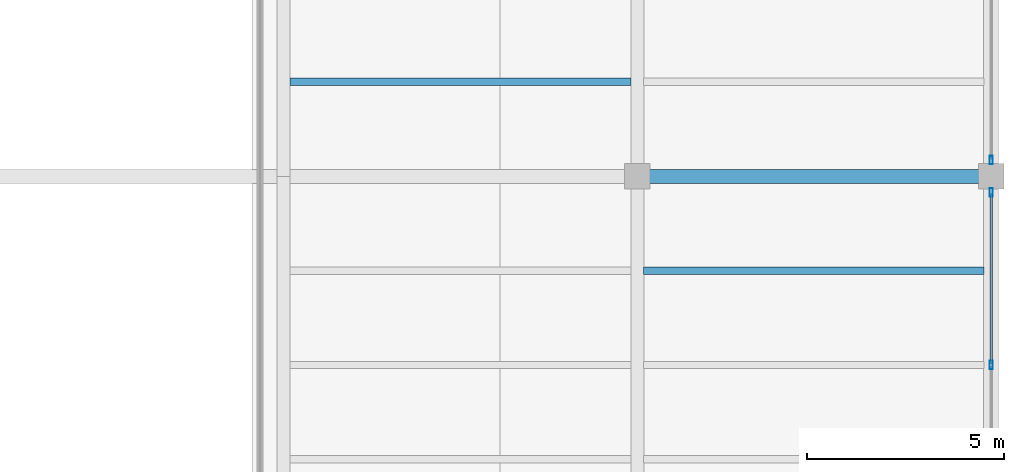
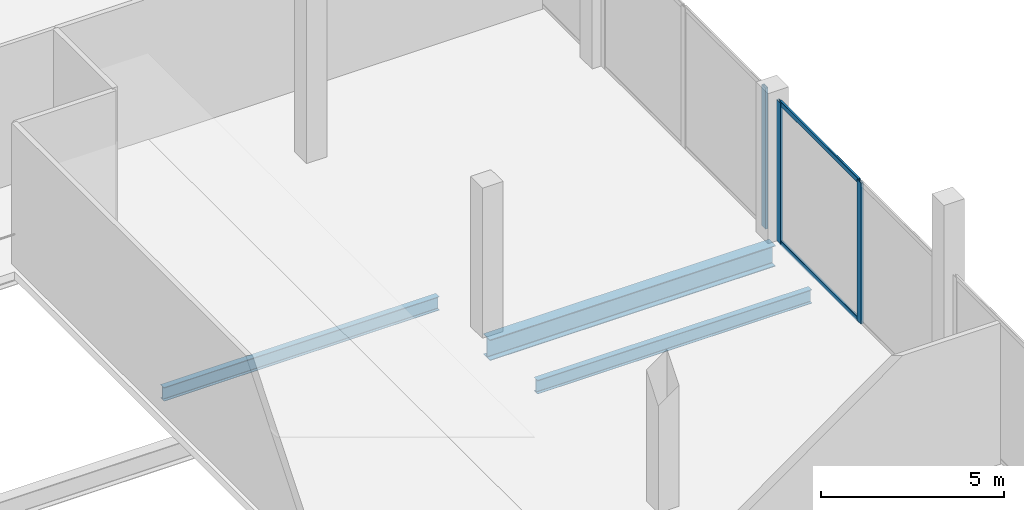
# One storey, part 18 of 43: 5 members, 3 beams, 2 elements without a shape of their own.
"""IFC4 building model written with IfcOpenShell, lengths in metres."""

from ifc_helpers import new_model, si_unit, direction, frame, origin, origin_2d, place, context, subcontext, project, spatial, hollow_rectangle, i_section, extrude, material, layer, layer_set, material_profile, profile_set, type_object, element, aggregate, save


model = new_model("IFC4")

# Units and contexts
model_context = context("Model", 3, precision=1e-05, world=origin(), true_north=direction((0.0, 1.0)))
body_context = subcontext(model_context, "Body", "Model", "MODEL_VIEW")
ifc_project = project(units=[si_unit("LENGTHUNIT", "METRE"), si_unit("AREAUNIT", "SQUARE_METRE"), si_unit("VOLUMEUNIT", "CUBIC_METRE"), si_unit("PLANEANGLEUNIT", "RADIAN"), si_unit("MASSUNIT", "GRAM", prefix="KILO")], contexts=[model_context])

# Site, building, storey
site_placement = place(None, origin())
site = spatial("IfcSite", under=ifc_project, at=site_placement, CompositionType="ELEMENT")
building_placement = place(site_placement, origin())
building = spatial("IfcBuilding", under=site, at=building_placement, Name="Qorvath Tower", CompositionType="ELEMENT")
storey_placement = place(building_placement, frame((0.0, 0.0, 22.0)))
storey = spatial("IfcBuildingStorey", under=building, at=storey_placement, Name="L04", CompositionType="ELEMENT", Elevation=22.0)

# Beams
ifc_material_1 = material(Name="Steel ASTM A992 Grade 50", Category="steel")
ifc_material_profile_1 = material_profile(ifc_material_1, i_section(OverallWidth=0.35595703125, OverallDepth=0.696044921875, WebThickness=0.015380859375, FlangeThickness=0.02490234375, FilletRadius=0.01806640625, at=origin_2d()), Name="W27x146")
ifc_profile_set_1 = profile_set([ifc_material_profile_1], Name="Steel ASTM A992 Grade 50")
beam_type_1 = type_object("IfcBeamType", Name="BM-FG4", PredefinedType="BEAM", material=ifc_profile_set_1)
beam_1_placement = place(storey_placement, frame((68.39990234375, 0.0, -0.60791015625), z_axis=(1.0, 0.0, 0.0), x_axis=(0.0, 1.0, 0.0)))
element("IfcBeam", 1, at=beam_1_placement, inside=storey, type_object=beam_type_1, Name="Library E-W Girder L04-5-5", PredefinedType="BEAM", context=body_context, shape_type="SweptSolid", body=[
    extrude(i_section(OverallWidth=0.35595703125, OverallDepth=0.696044921875, WebThickness=0.015380859375, FlangeThickness=0.02490234375, FilletRadius=0.01806640625, at=origin_2d()), origin(), (0.0, 0.0, 1.0), 9.0),
])
ifc_material_2 = material(Name="Steel ASTM A992 Grade 50", Category="steel")
ifc_material_profile_2 = material_profile(ifc_material_2, i_section(OverallWidth=0.18994140625, OverallDepth=0.45703125, WebThickness=0.009033203125, FlangeThickness=0.014404296875, FilletRadius=0.011962890625, at=origin_2d()), Name="W18x50")
ifc_profile_set_2 = profile_set([ifc_material_profile_2], Name="Steel ASTM A992 Grade 50")
beam_type_2 = type_object("IfcBeamType", Name="BM-FJ2", PredefinedType="JOIST", material=ifc_profile_set_2)
beam_2_placement = place(storey_placement, frame((68.560546875, -2.39990234375, -0.488525390625), z_axis=(1.0, 0.0, 0.0), x_axis=(0.0, 1.0, 0.0)))
element("IfcBeam", 2, at=beam_2_placement, inside=storey, type_object=beam_type_2, Name="Library Stack Joist L04-4.3-5", PredefinedType="JOIST", context=body_context, shape_type="SweptSolid", body=[
    extrude(i_section(OverallWidth=0.18994140625, OverallDepth=0.45703125, WebThickness=0.009033203125, FlangeThickness=0.014404296875, FilletRadius=0.011962890625, at=origin_2d()), origin(), (0.0, 0.0, 1.0), 8.65087890625),
])
beam_3_placement = place(storey_placement, frame((59.560546875, 2.39990234375, -0.488525390625), z_axis=(1.0, 0.0, 0.0), x_axis=(0.0, 1.0, 0.0)))
element("IfcBeam", 3, at=beam_3_placement, inside=storey, type_object=beam_type_2, Name="Library Stack Joist L04-5.1-4", PredefinedType="JOIST", context=body_context, shape_type="SweptSolid", body=[
    extrude(i_section(OverallWidth=0.18994140625, OverallDepth=0.45703125, WebThickness=0.009033203125, FlangeThickness=0.014404296875, FilletRadius=0.011962890625, at=origin_2d()), origin(), (0.0, 0.0, 1.0), 8.678955078125),
])

# Curtain wall, members
ifc_material_3 = material(Name="Anodised aluminium and triple low-E glass", Category="aluminium")
ifc_layer = layer(ifc_material_3, 0.179931640625)
ifc_layer_set = layer_set([ifc_layer], Name="CW-SYS-6")
curtain_wall_type = type_object("IfcCurtainWallType", Name="CW-SYS-6", PredefinedType="NOTDEFINED", material=ifc_layer_set)
curtain_wall_1_placement = place(storey_placement, origin())
curtain_wall_1 = element("IfcCurtainWall", 4, at=curtain_wall_1_placement, inside=storey, type_object=curtain_wall_type, Name="Curtain Wall CW-6 CW-LIB-E-L04-4", PredefinedType="NOTDEFINED")
ifc_material_4 = material(Name="Anodised aluminium 6063-T6", Category="aluminium")
ifc_material_profile_3 = material_profile(ifc_material_4, hollow_rectangle(XDim=0.080078125, YDim=0.219970703125, WallThickness=0.00439453125, InnerFilletRadius=0.00439453125, OuterFilletRadius=0.009033203125, at=origin_2d()), Name="CWM LIB 220x80")
ifc_profile_set_3 = profile_set([ifc_material_profile_3], Name="Anodised aluminium 6063-T6")
member_type_1 = type_object("IfcMemberType", Name="CWM-LIB", PredefinedType="MULLION", material=ifc_profile_set_3)
member_1_placement = place(storey_placement, frame((77.39990234375, -4.800048828125, 0.0), z_axis=(0.0, 0.0, 1.0), x_axis=(-1.0, 0.0, 0.0)))
member_1 = element("IfcMember", 5, at=member_1_placement, type_object=member_type_1, Name="CW-6 mullion 2", PredefinedType="MULLION", context=body_context, shape_type="SweptSolid", body=[
    extrude(hollow_rectangle(XDim=0.080078125, YDim=0.219970703125, WallThickness=0.00439453125, InnerFilletRadius=0.00439453125, OuterFilletRadius=0.009033203125, at=origin_2d()), origin(), (0.0, 0.0, 1.0), 4.699951171875),
])
member_2_placement = place(storey_placement, frame((77.39990234375, -0.41015625, 0.0), z_axis=(0.0, 0.0, 1.0), x_axis=(-1.0, 0.0, 0.0)))
member_2 = element("IfcMember", 6, at=member_2_placement, type_object=member_type_1, Name="CW-6 mullion 3", PredefinedType="MULLION", context=body_context, shape_type="SweptSolid", body=[
    extrude(hollow_rectangle(XDim=0.080078125, YDim=0.219970703125, WallThickness=0.00439453125, InnerFilletRadius=0.00439453125, OuterFilletRadius=0.009033203125, at=origin_2d()), origin(), (0.0, 0.0, 1.0), 4.699951171875),
])

# Curtain wall, member
curtain_wall_2_placement = place(storey_placement, origin())
curtain_wall_2 = element("IfcCurtainWall", 7, at=curtain_wall_2_placement, inside=storey, type_object=curtain_wall_type, Name="Curtain Wall CW-6 CW-LIB-E-L04-5", PredefinedType="NOTDEFINED")
member_3_placement = place(storey_placement, frame((77.39990234375, 0.41015625, 0.0), z_axis=(0.0, 0.0, 1.0), x_axis=(-1.0, 0.0, 0.0)))
member_3 = element("IfcMember", 8, at=member_3_placement, type_object=member_type_1, Name="CW-6 mullion 1", PredefinedType="MULLION", context=body_context, shape_type="SweptSolid", body=[
    extrude(hollow_rectangle(XDim=0.080078125, YDim=0.219970703125, WallThickness=0.00439453125, InnerFilletRadius=0.00439453125, OuterFilletRadius=0.009033203125, at=origin_2d()), origin(), (0.0, 0.0, 1.0), 4.699951171875),
])
aggregate(curtain_wall_2, [member_3])

# Member
ifc_material_5 = material(Name="Anodised aluminium 6063-T6", Category="aluminium")
ifc_material_profile_4 = material_profile(ifc_material_5, hollow_rectangle(XDim=0.06494140625, YDim=0.159912109375, WallThickness=0.00341796875, InnerFilletRadius=0.00341796875, OuterFilletRadius=0.007080078125, at=origin_2d()), Name="CWT 160x65")
ifc_profile_set_4 = profile_set([ifc_material_profile_4], Name="Anodised aluminium 6063-T6")
member_type_2 = type_object("IfcMemberType", Name="CWT-160", PredefinedType="USERDEFINED", material=ifc_profile_set_4)
member_4_placement = place(storey_placement, frame((77.39990234375, -4.760009765625, 0.032470703125), z_axis=(0.0, 1.0, 0.0), x_axis=(-1.0, 0.0, 0.0)))
member_4 = element("IfcMember", 9, at=member_4_placement, type_object=member_type_2, Name="CW-6 transom 2.1", ObjectType="TRANSOM", PredefinedType="USERDEFINED", context=body_context, shape_type="SweptSolid", body=[
    extrude(hollow_rectangle(XDim=0.06494140625, YDim=0.159912109375, WallThickness=0.00341796875, InnerFilletRadius=0.00341796875, OuterFilletRadius=0.007080078125, at=origin_2d()), origin(), (0.0, 0.0, 1.0), 4.309814453125),
])

member_5_placement = place(storey_placement, frame((77.39990234375, -4.760009765625, 4.66748046875), z_axis=(0.0, 1.0, 0.0), x_axis=(-1.0, 0.0, 0.0)))
member_5 = element("IfcMember", 10, at=member_5_placement, type_object=member_type_2, Name="CW-6 transom 2.2", ObjectType="TRANSOM", PredefinedType="USERDEFINED", context=body_context, shape_type="SweptSolid", body=[
    extrude(hollow_rectangle(XDim=0.06494140625, YDim=0.159912109375, WallThickness=0.00341796875, InnerFilletRadius=0.00341796875, OuterFilletRadius=0.007080078125, at=origin_2d()), origin(), (0.0, 0.0, 1.0), 4.309814453125),
])

aggregate(curtain_wall_1, [member_1, member_2, member_4, member_5])

save(model, "model.ifc")
